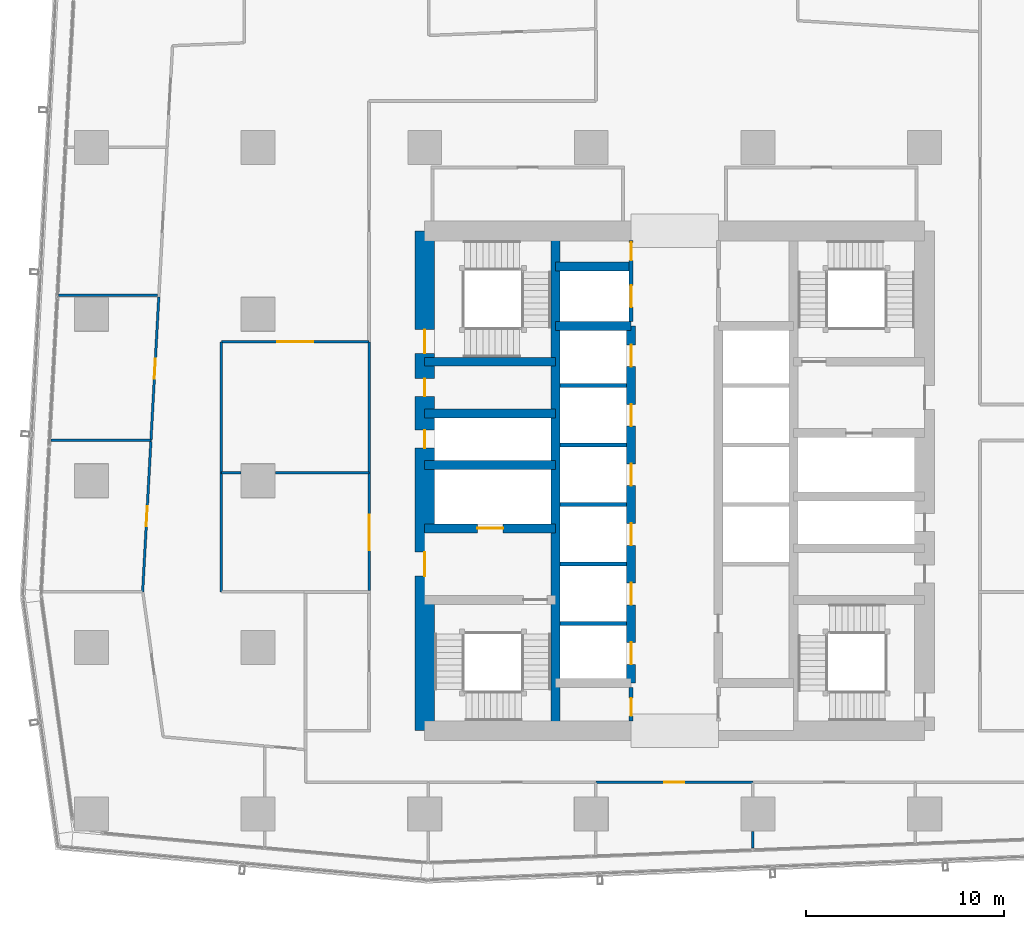
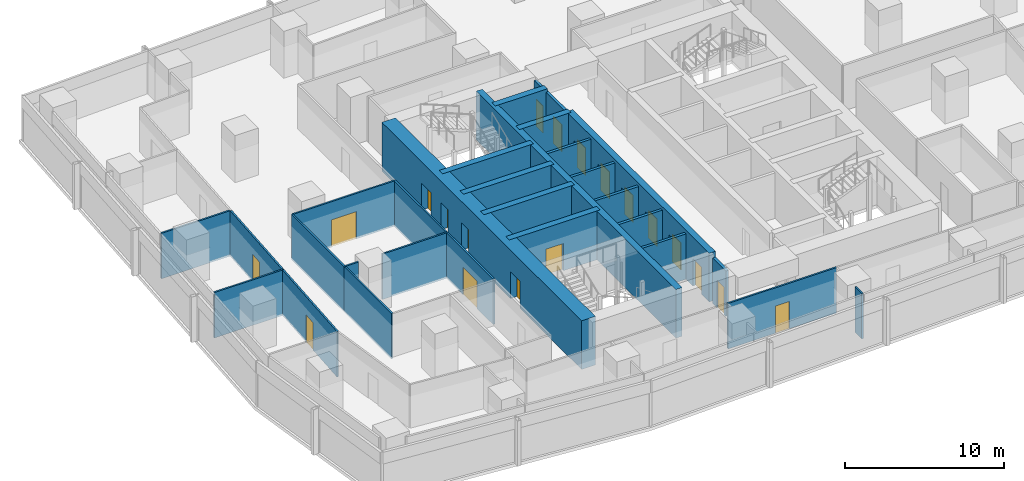
# One storey, part 29 of 40: 29 walls, 19 doors, 19 openings.
"""IFC4 building model written with IfcOpenShell, lengths in metres."""

import ifcopenshell
import ifcopenshell.guid

model = None  # the IFC model being written
_history = None  # IfcOwnerHistory: only IFC2X3 demands one
_inside = {}  # id of a spatial element -> (the spatial element, [elements in it])
_under = {}  # id of a project, library or spatial element -> (it, [spatial elements below it])
_declared = {}  # id of a project -> (the project, [libraries it declares])
_typed = {}  # id of a type object -> (the type object, [elements of that type])
_made_of = {}  # id of a material, layer set ... -> (it, [elements and type objects made of it])


def new_model(schema):
    """Start an empty IFC model of exactly this schema.

    Asked for "IFC4X3", IfcOpenShell would pick the latest addendum, in which some entities
    have other attributes; the version numbers below select the first issue.
    IFC2X3 requires an IfcOwnerHistory on every rooted entity: one is made here for all.
    """
    global model, _history
    if schema == "IFC4X3":
        model = ifcopenshell.file(schema_version=(4, 3, 0, 0))
    else:
        model = ifcopenshell.file(schema=schema)
    _inside.clear()
    _under.clear()
    _declared.clear()
    _typed.clear()
    _made_of.clear()
    _history = None
    if model.schema == "IFC2X3":
        org = make("IfcOrganization", Name="unknown")
        user = make(
            "IfcPersonAndOrganization",
            ThePerson=make("IfcPerson", FamilyName="unknown"),
            TheOrganization=org,
        )
        app = make(
            "IfcApplication",
            ApplicationDeveloper=org,
            Version="unknown",
            ApplicationFullName="unknown",
            ApplicationIdentifier="unknown",
        )
        _history = make(
            "IfcOwnerHistory",
            OwningUser=user,
            OwningApplication=app,
            ChangeAction="ADDED",
            CreationDate=0,
        )
    return model


def make(cls, **values):
    """One entity of the class cls with the attributes given. An attribute that is None is left unset."""
    return model.create_entity(
        cls, **{name: value for name, value in values.items() if value is not None}
    )


def rooted(cls, **values):
    """An entity with a GlobalId (a new one), such as an element, a storey or a relation."""
    return make(cls, GlobalId=ifcopenshell.guid.new(), OwnerHistory=_history, **values)


def si_unit(unit_type, name, prefix=None):
    """IfcSIUnit, for example si_unit("LENGTHUNIT", "METRE", prefix="MILLI")."""
    return make("IfcSIUnit", UnitType=unit_type, Prefix=prefix, Name=name)


def assignment(units):
    """IfcUnitAssignment: the units of a project."""
    return None if units is None else make("IfcUnitAssignment", Units=units)


def point(xyz):
    """IfcCartesianPoint."""
    return None if xyz is None else make("IfcCartesianPoint", Coordinates=xyz)


def direction(xyz):
    """IfcDirection."""
    return None if xyz is None else make("IfcDirection", DirectionRatios=xyz)


def frame(location, z_axis=None, x_axis=None):
    """IfcAxis2Placement3D, a coordinate frame: its origin and axes. An axis left out is left unset."""
    return make(
        "IfcAxis2Placement3D",
        Location=point(location),
        Axis=direction(z_axis),
        RefDirection=direction(x_axis),
    )


def frame_2d(location, x_axis=None):
    """IfcAxis2Placement2D, a coordinate frame in the plane: its origin and x axis."""
    return make(
        "IfcAxis2Placement2D", Location=point(location), RefDirection=direction(x_axis)
    )


def origin():
    """The frame at (0, 0, 0) with its axes left unset."""
    return frame((0.0, 0.0, 0.0))


def place(relative_to, where):
    """IfcLocalPlacement: puts the frame where relative to a parent placement (None: the world)."""
    return make(
        "IfcLocalPlacement", PlacementRelTo=relative_to, RelativePlacement=where
    )


def context(
    kind, dimensions, precision=None, world=None, true_north=None, identifier=None
):
    """IfcGeometricRepresentationContext, for example the 3D "Model" context."""
    return make(
        "IfcGeometricRepresentationContext",
        ContextIdentifier=identifier,
        ContextType=kind,
        CoordinateSpaceDimension=dimensions,
        Precision=precision,
        WorldCoordinateSystem=world,
        TrueNorth=true_north,
    )


def subcontext(parent, identifier, kind, view, scale=None):
    """IfcGeometricRepresentationSubContext, for example "Body" below "Model"."""
    return make(
        "IfcGeometricRepresentationSubContext",
        ContextIdentifier=identifier,
        ContextType=kind,
        ParentContext=parent,
        TargetScale=scale,
        TargetView=view,
    )


def project(units=None, contexts=None):
    """IfcProject with its units and contexts."""
    return rooted(
        "IfcProject",
        Name="project",
        RepresentationContexts=contexts,
        UnitsInContext=assignment(units),
    )


def spatial(cls, under=None, at=None, **own):
    """A site, building, storey or space (cls), placed at a placement, below another one or the project."""
    s = rooted(cls, ObjectPlacement=at, **own)
    if under is not None:
        _under.setdefault(under.id(), (under, []))[1].append(s)
    return s


def profile(cls, at=None, kind="AREA", **sizes):
    """A parametric profile (cls). Its sizes go by their IFC names, for example OverallWidth=200.0."""
    return make(cls, ProfileType=kind, Position=at, **sizes)


def rectangle(**sizes):
    """IfcRectangleProfileDef."""
    return profile("IfcRectangleProfileDef", **sizes)


def extrude(swept, where, along, depth):
    """IfcExtrudedAreaSolid: the profile swept, set in the frame where, extruded along a direction by depth."""
    return make(
        "IfcExtrudedAreaSolid",
        SweptArea=swept,
        Position=where,
        ExtrudedDirection=direction(along),
        Depth=depth,
    )


def shape(context_of_items, identifier, shape_type, items):
    """IfcShapeRepresentation: the items that make up one representation, for example the "Body"."""
    return make(
        "IfcShapeRepresentation",
        ContextOfItems=context_of_items,
        RepresentationIdentifier=identifier,
        RepresentationType=shape_type,
        Items=items,
    )


def material(Name=None, Category=None):
    """IfcMaterial."""
    return make("IfcMaterial", Name=Name, Category=Category)


def layer(
    of_material, thickness, ventilated=None, Name=None, Category=None, Priority=None
):
    """IfcMaterialLayer: one layer of a wall or slab, of a material (None: an air gap)."""
    return make(
        "IfcMaterialLayer",
        Material=of_material,
        LayerThickness=thickness,
        IsVentilated=ventilated,
        Name=Name,
        Category=Category,
        Priority=Priority,
    )


def layer_set(layers, Name=None):
    """IfcMaterialLayerSet."""
    return make("IfcMaterialLayerSet", MaterialLayers=layers, LayerSetName=Name)


def made_of(thing, what):
    """Note that an element or type object is made of a material, layer set ...; save() writes the relation."""
    if what is not None:
        _made_of.setdefault(what.id(), (what, []))[1].append(thing)
    return thing


def type_object(cls, material=None, **own):
    """A type object (cls), such as IfcWallType, which elements share."""
    return made_of(rooted(cls, **own), material)


def element(
    cls,
    number,
    at=None,
    inside=None,
    cuts=None,
    type_object=None,
    material=None,
    context=None,
    identifier="Body",
    shape_type=None,
    held_by="IfcProductDefinitionShape",
    body=None,
    shapes=None,
    **own,
):
    """One element of the class cls, such as IfcWall. Its Tag is "e" and its number.

    at: its placement. inside: the storey or other place that contains it. cuts: it is an
    opening in that element (IfcRelVoidsElement). A single representation is given by context,
    identifier, shape_type and body (its items); several are given by shapes. held_by: the class
    of the entity that holds the representations. save() writes the other relations.
    """
    e = rooted(cls, Tag="e%d" % number, ObjectPlacement=at, **own)
    if body is not None:
        shapes = [shape(context, identifier, shape_type, body)]
    if shapes is not None:
        e.Representation = make(held_by, Representations=shapes)
    if inside is not None:
        _inside.setdefault(inside.id(), (inside, []))[1].append(e)
    if cuts is not None:
        rooted(
            "IfcRelVoidsElement", RelatingBuildingElement=cuts, RelatedOpeningElement=e
        )
    if type_object is not None:
        _typed.setdefault(type_object.id(), (type_object, []))[1].append(e)
    return made_of(e, material)


def fill(opening, filler):
    """IfcRelFillsElement: the door or window that sits in an opening."""
    return rooted(
        "IfcRelFillsElement",
        RelatingOpeningElement=opening,
        RelatedBuildingElement=filler,
    )


def aggregate(whole, parts):
    """IfcRelAggregates: a whole, such as a stair, and the parts it consists of."""
    return rooted("IfcRelAggregates", RelatingObject=whole, RelatedObjects=parts)


def save(model, path):
    """Write the relations noted so far, then the file.

    IfcRelAggregates (storeys below a building ...), IfcRelContainedInSpatialStructure (elements
    in a storey), IfcRelDefinesByType, IfcRelAssociatesMaterial and IfcRelDeclares: one each for
    every whole, place, type object, material and project.
    """
    for whole, parts in _under.values():
        aggregate(whole, parts)
    for where, things in _inside.values():
        rooted(
            "IfcRelContainedInSpatialStructure",
            RelatedElements=things,
            RelatingStructure=where,
        )
    for kind, things in _typed.values():
        rooted("IfcRelDefinesByType", RelatedObjects=things, RelatingType=kind)
    for what, things in _made_of.values():
        rooted("IfcRelAssociatesMaterial", RelatedObjects=things, RelatingMaterial=what)
    for by, libraries in _declared.values():
        rooted("IfcRelDeclares", RelatingContext=by, RelatedDefinitions=libraries)
    model.write(path)


model = new_model("IFC4")

# Units and contexts
model_context = context("Model", 3, precision=1e-05, world=origin(), true_north=direction((0.0, 1.0)))
body_context = subcontext(model_context, "Body", "Model", "MODEL_VIEW")
ifc_project = project(units=[si_unit("LENGTHUNIT", "METRE"), si_unit("AREAUNIT", "SQUARE_METRE"), si_unit("VOLUMEUNIT", "CUBIC_METRE"), si_unit("PLANEANGLEUNIT", "RADIAN"), si_unit("MASSUNIT", "GRAM", prefix="KILO")], contexts=[model_context])

# Site, building, storey
site_placement = place(None, origin())
site = spatial("IfcSite", under=ifc_project, at=site_placement, CompositionType="ELEMENT")
building_placement = place(site_placement, origin())
building = spatial("IfcBuilding", under=site, at=building_placement, Name="Rekha Terrace Tower", CompositionType="ELEMENT")
storey_placement = place(building_placement, frame((0.0, 0.0, 136.550048828125)))
storey = spatial("IfcBuildingStorey", under=building, at=storey_placement, Name="L34", CompositionType="ELEMENT", Elevation=136.550048828125)

# Wall
ifc_material_1 = material(Name="Concrete M70", Category="concrete")
ifc_layer_1 = layer(ifc_material_1, 0.449951171875)
ifc_layer_set_1 = layer_set([ifc_layer_1], Name="Concrete M70")
wall_type_1 = type_object("IfcWallType", Name="CI2 450 core internal shear wall", PredefinedType="SHEAR", material=ifc_layer_set_1)
wall_1_placement = place(storey_placement, frame((31.800048828125, 21.0, 0.0), z_axis=(0.0, 0.0, 1.0), x_axis=(0.0, 1.0, 0.0)))
element("IfcWall", 1, at=wall_1_placement, inside=storey, type_object=wall_type_1, Name="Core wall X318 L34", PredefinedType="SHEAR", context=body_context, shape_type="SweptSolid", body=[
    extrude(rectangle(XDim=25.199951171875, YDim=0.449951171875, at=frame_2d((12.60009765625, 0.0))), origin(), (0.0, 0.0, 1.0), 3.75),
])

# Wall, openings, doors
wall_2_placement = place(storey_placement, frame((35.60009765625, 23.39990234375, 0.0), z_axis=(0.0, 0.0, 1.0), x_axis=(0.0, 1.0, 0.0)))
wall_2 = element("IfcWall", 2, at=wall_2_placement, inside=storey, type_object=wall_type_1, Name="Core wall X356 L34", PredefinedType="SHEAR", context=body_context, shape_type="SweptSolid", body=[
    extrude(rectangle(XDim=18.0, YDim=0.449951171875, at=frame_2d((9.0, 0.0))), origin(), (0.0, 0.0, 1.0), 3.75),
])
opening_1_placement = place(wall_2_placement, frame((0.949951171875, 0.0, 0.0)))
opening_1 = element("IfcOpeningElement", 3, at=opening_1_placement, cuts=wall_2, Name="Opening LD1", PredefinedType="OPENING", context=body_context, shape_type="SweptSolid", body=[
    extrude(rectangle(XDim=1.10009765625, YDim=2.10009765625, at=frame_2d((0.550048828125, 1.050048828125))), frame((0.0, 0.23486328125, 0.0), z_axis=(0.0, -1.0, 0.0), x_axis=(1.0, 0.0, 0.0)), (0.0, 0.0, 1.0), 0.469970703125),
])
opening_2_placement = place(wall_2_placement, frame((3.949951171875, 0.0, 0.0)))
opening_2 = element("IfcOpeningElement", 4, at=opening_2_placement, cuts=wall_2, Name="Opening LD1", PredefinedType="OPENING", context=body_context, shape_type="SweptSolid", body=[
    extrude(rectangle(XDim=1.10009765625, YDim=2.10009765625, at=frame_2d((0.550048828125, 1.050048828125))), frame((0.0, 0.23486328125, 0.0), z_axis=(0.0, -1.0, 0.0), x_axis=(1.0, 0.0, 0.0)), (0.0, 0.0, 1.0), 0.469970703125),
])
opening_3_placement = place(wall_2_placement, frame((6.949951171875, 0.0, 0.0)))
opening_3 = element("IfcOpeningElement", 5, at=opening_3_placement, cuts=wall_2, Name="Opening LD1", PredefinedType="OPENING", context=body_context, shape_type="SweptSolid", body=[
    extrude(rectangle(XDim=1.10009765625, YDim=2.10009765625, at=frame_2d((0.550048828125, 1.050048828125))), frame((0.0, 0.23486328125, 0.0), z_axis=(0.0, -1.0, 0.0), x_axis=(1.0, 0.0, 0.0)), (0.0, 0.0, 1.0), 0.469970703125),
])
opening_4_placement = place(wall_2_placement, frame((9.949951171875, 0.0, 0.0)))
opening_4 = element("IfcOpeningElement", 6, at=opening_4_placement, cuts=wall_2, Name="Opening LD1", PredefinedType="OPENING", context=body_context, shape_type="SweptSolid", body=[
    extrude(rectangle(XDim=1.10009765625, YDim=2.10009765625, at=frame_2d((0.550048828125, 1.050048828125))), frame((0.0, 0.23486328125, 0.0), z_axis=(0.0, -1.0, 0.0), x_axis=(1.0, 0.0, 0.0)), (0.0, 0.0, 1.0), 0.469970703125),
])
opening_5_placement = place(wall_2_placement, frame((12.949951171875, 0.0, 0.0)))
opening_5 = element("IfcOpeningElement", 7, at=opening_5_placement, cuts=wall_2, Name="Opening LD1", PredefinedType="OPENING", context=body_context, shape_type="SweptSolid", body=[
    extrude(rectangle(XDim=1.10009765625, YDim=2.10009765625, at=frame_2d((0.550048828125, 1.050048828125))), frame((0.0, 0.23486328125, 0.0), z_axis=(0.0, -1.0, 0.0), x_axis=(1.0, 0.0, 0.0)), (0.0, 0.0, 1.0), 0.469970703125),
])
opening_6_placement = place(wall_2_placement, frame((15.949951171875, 0.0, 0.0)))
opening_6 = element("IfcOpeningElement", 8, at=opening_6_placement, cuts=wall_2, Name="Opening LD1", PredefinedType="OPENING", context=body_context, shape_type="SweptSolid", body=[
    extrude(rectangle(XDim=1.10009765625, YDim=2.10009765625, at=frame_2d((0.550048828125, 1.050048828125))), frame((0.0, 0.23486328125, 0.0), z_axis=(0.0, -1.0, 0.0), x_axis=(1.0, 0.0, 0.0)), (0.0, 0.0, 1.0), 0.469970703125),
])
ifc_material_2 = material(Name="Stainless steel sliding landing door", Category="steel")
door_type_1 = type_object("IfcDoorType", Name="LD1 1100x2100 lift landing door", OperationType="SLIDING_TO_LEFT", PredefinedType="USERDEFINED", material=ifc_material_2)
door_1_placement = place(opening_1_placement, origin())
door_1 = element("IfcDoor", 9, at=door_1_placement, inside=storey, type_object=door_type_1, Name="Lift B1 landing door L34", ObjectType="LIFT LANDING DOOR", OperationType="SLIDING_TO_LEFT", OverallHeight=2.10009765625, OverallWidth=1.10009765625, PredefinedType="USERDEFINED", context=body_context, shape_type="SweptSolid", body=[
    extrude(rectangle(XDim=1.10009765625, YDim=2.10009765625, at=frame_2d((0.550048828125, 1.050048828125))), frame((0.0, 0.02490234375, 0.0), z_axis=(0.0, -1.0, 0.0), x_axis=(1.0, 0.0, 0.0)), (0.0, 0.0, 1.0), 0.050048828125),
])
fill(opening_1, door_1)
door_2_placement = place(opening_2_placement, origin())
door_2 = element("IfcDoor", 10, at=door_2_placement, inside=storey, type_object=door_type_1, Name="Lift B2 landing door L34", ObjectType="LIFT LANDING DOOR", OperationType="SLIDING_TO_LEFT", OverallHeight=2.10009765625, OverallWidth=1.10009765625, PredefinedType="USERDEFINED", context=body_context, shape_type="SweptSolid", body=[
    extrude(rectangle(XDim=1.10009765625, YDim=2.10009765625, at=frame_2d((0.550048828125, 1.050048828125))), frame((0.0, 0.02490234375, 0.0), z_axis=(0.0, -1.0, 0.0), x_axis=(1.0, 0.0, 0.0)), (0.0, 0.0, 1.0), 0.050048828125),
])
fill(opening_2, door_2)
door_3_placement = place(opening_3_placement, origin())
door_3 = element("IfcDoor", 11, at=door_3_placement, inside=storey, type_object=door_type_1, Name="Lift B3 landing door L34", ObjectType="LIFT LANDING DOOR", OperationType="SLIDING_TO_LEFT", OverallHeight=2.10009765625, OverallWidth=1.10009765625, PredefinedType="USERDEFINED", context=body_context, shape_type="SweptSolid", body=[
    extrude(rectangle(XDim=1.10009765625, YDim=2.10009765625, at=frame_2d((0.550048828125, 1.050048828125))), frame((0.0, 0.02490234375, 0.0), z_axis=(0.0, -1.0, 0.0), x_axis=(1.0, 0.0, 0.0)), (0.0, 0.0, 1.0), 0.050048828125),
])
fill(opening_3, door_3)
door_4_placement = place(opening_4_placement, origin())
door_4 = element("IfcDoor", 12, at=door_4_placement, inside=storey, type_object=door_type_1, Name="Lift B4 landing door L34", ObjectType="LIFT LANDING DOOR", OperationType="SLIDING_TO_LEFT", OverallHeight=2.10009765625, OverallWidth=1.10009765625, PredefinedType="USERDEFINED", context=body_context, shape_type="SweptSolid", body=[
    extrude(rectangle(XDim=1.10009765625, YDim=2.10009765625, at=frame_2d((0.550048828125, 1.050048828125))), frame((0.0, 0.02490234375, 0.0), z_axis=(0.0, -1.0, 0.0), x_axis=(1.0, 0.0, 0.0)), (0.0, 0.0, 1.0), 0.050048828125),
])
fill(opening_4, door_4)
door_5_placement = place(opening_5_placement, origin())
door_5 = element("IfcDoor", 13, at=door_5_placement, inside=storey, type_object=door_type_1, Name="Lift B5 landing door L34", ObjectType="LIFT LANDING DOOR", OperationType="SLIDING_TO_LEFT", OverallHeight=2.10009765625, OverallWidth=1.10009765625, PredefinedType="USERDEFINED", context=body_context, shape_type="SweptSolid", body=[
    extrude(rectangle(XDim=1.10009765625, YDim=2.10009765625, at=frame_2d((0.550048828125, 1.050048828125))), frame((0.0, 0.02490234375, 0.0), z_axis=(0.0, -1.0, 0.0), x_axis=(1.0, 0.0, 0.0)), (0.0, 0.0, 1.0), 0.050048828125),
])
fill(opening_5, door_5)
door_6_placement = place(opening_6_placement, origin())
door_6 = element("IfcDoor", 14, at=door_6_placement, inside=storey, type_object=door_type_1, Name="Lift B6 landing door L34", ObjectType="LIFT LANDING DOOR", OperationType="SLIDING_TO_LEFT", OverallHeight=2.10009765625, OverallWidth=1.10009765625, PredefinedType="USERDEFINED", context=body_context, shape_type="SweptSolid", body=[
    extrude(rectangle(XDim=1.10009765625, YDim=2.10009765625, at=frame_2d((0.550048828125, 1.050048828125))), frame((0.0, 0.02490234375, 0.0), z_axis=(0.0, -1.0, 0.0), x_axis=(1.0, 0.0, 0.0)), (0.0, 0.0, 1.0), 0.050048828125),
])
fill(opening_6, door_6)

# Walls
for number, where, z_axis, x_axis, name in (
    (15, (31.800048828125, 41.39990234375, 0.0), (0.0, 0.0, 1.0), (1.0, 0.0, 0.0), "Core wall Y414W L34"),
    (16, (31.800048828125, 44.39990234375, 0.0), (0.0, 0.0, 1.0), (1.0, 0.0, 0.0), "Core wall Y444W L34"),
):
    element("IfcWall", number, at=place(storey_placement, frame(where, z_axis=z_axis, x_axis=x_axis)), inside=storey, type_object=wall_type_1, Name=name, PredefinedType="SHEAR", context=body_context, shape_type="SweptSolid", body=[
        extrude(rectangle(XDim=3.800048828125, YDim=0.449951171875, at=frame_2d((1.89990234375, 0.0))), origin(), (0.0, 0.0, 1.0), 3.75),
    ])

# Wall, opening, door
wall_3_placement = place(storey_placement, frame((25.199951171875, 31.199951171875, 0.0), z_axis=(0.0, 0.0, 1.0), x_axis=(1.0, 0.0, 0.0)))
wall_3 = element("IfcWall", 17, at=wall_3_placement, inside=storey, type_object=wall_type_1, Name="Core wall Y312W L34", PredefinedType="SHEAR", context=body_context, shape_type="SweptSolid", body=[
    extrude(rectangle(XDim=6.60009765625, YDim=0.449951171875, at=frame_2d((3.300048828125, 0.0))), origin(), (0.0, 0.0, 1.0), 3.75),
])
opening_7_placement = place(wall_3_placement, frame((2.64990234375, 0.0, 0.0)))
opening_7 = element("IfcOpeningElement", 18, at=opening_7_placement, cuts=wall_3, Name="Opening LD2", PredefinedType="OPENING", context=body_context, shape_type="SweptSolid", body=[
    extrude(rectangle(XDim=1.300048828125, YDim=2.10009765625, at=frame_2d((0.64990234375, 1.050048828125))), frame((0.0, 0.23486328125, 0.0), z_axis=(0.0, -1.0, 0.0), x_axis=(1.0, 0.0, 0.0)), (0.0, 0.0, 1.0), 0.469970703125),
])
door_type_2 = type_object("IfcDoorType", Name="LD2 1300x2100 fire lift landing door", OperationType="SLIDING_TO_LEFT", PredefinedType="USERDEFINED", material=ifc_material_2)
door_7_placement = place(opening_7_placement, origin())
door_7 = element("IfcDoor", 19, at=door_7_placement, inside=storey, type_object=door_type_2, Name="Lift FL1 landing door L34", ObjectType="LIFT LANDING DOOR", OperationType="SLIDING_TO_LEFT", OverallHeight=2.10009765625, OverallWidth=1.300048828125, PredefinedType="USERDEFINED", context=body_context, shape_type="SweptSolid", body=[
    extrude(rectangle(XDim=1.300048828125, YDim=2.10009765625, at=frame_2d((0.64990234375, 1.050048828125))), frame((0.0, 0.02490234375, 0.0), z_axis=(0.0, -1.0, 0.0), x_axis=(1.0, 0.0, 0.0)), (0.0, 0.0, 1.0), 0.050048828125),
])
fill(opening_7, door_7)

# Walls
for number, where, z_axis, x_axis, name in (
    (20, (25.199951171875, 34.39990234375, 0.0), (0.0, 0.0, 1.0), (1.0, 0.0, 0.0), "Core wall Y344W L34"),
    (21, (25.199951171875, 37.0, 0.0), (0.0, 0.0, 1.0), (1.0, 0.0, 0.0), "Core wall Y370W L34"),
    (22, (25.199951171875, 39.60009765625, 0.0), (0.0, 0.0, 1.0), (1.0, 0.0, 0.0), "Core wall Y396W L34"),
):
    element("IfcWall", number, at=place(storey_placement, frame(where, z_axis=z_axis, x_axis=x_axis)), inside=storey, type_object=wall_type_1, Name=name, PredefinedType="SHEAR", context=body_context, shape_type="SweptSolid", body=[
        extrude(rectangle(XDim=6.60009765625, YDim=0.449951171875, at=frame_2d((3.300048828125, 0.0))), origin(), (0.0, 0.0, 1.0), 3.75),
    ])

# Wall, openings, doors
ifc_layer_2 = layer(ifc_material_1, 1.0)
ifc_layer_set_2 = layer_set([ifc_layer_2], Name="Concrete M70")
wall_type_2 = type_object("IfcWallType", Name="SW2 1000 core outer shear wall", PredefinedType="SHEAR", material=ifc_layer_set_2)
wall_4_placement = place(storey_placement, frame((25.199951171875, 21.0, 0.0), z_axis=(0.0, 0.0, 1.0), x_axis=(0.0, 1.0, 0.0)))
wall_4 = element("IfcWall", 23, at=wall_4_placement, inside=storey, type_object=wall_type_2, Name="Core wall W L34", PredefinedType="SHEAR", context=body_context, shape_type="SweptSolid", body=[
    extrude(rectangle(XDim=25.199951171875, YDim=1.0, at=frame_2d((12.60009765625, 0.0))), origin(), (0.0, 0.0, 1.0), 3.75),
])
opening_8_placement = place(wall_4_placement, frame((7.800048828125, 0.0, 0.0)))
opening_8 = element("IfcOpeningElement", 24, at=opening_8_placement, cuts=wall_4, Name="Opening D2", PredefinedType="OPENING", context=body_context, shape_type="SweptSolid", body=[
    extrude(rectangle(XDim=1.199951171875, YDim=2.10009765625, at=frame_2d((0.60009765625, 1.050048828125))), frame((0.0, 0.510009765625, 0.0), z_axis=(0.0, -1.0, 0.0), x_axis=(1.0, 0.0, 0.0)), (0.0, 0.0, 1.0), 1.02001953125),
])
opening_9_placement = place(wall_4_placement, frame((14.25, 0.0, 0.0)))
opening_9 = element("IfcOpeningElement", 25, at=opening_9_placement, cuts=wall_4, Name="Opening D5", PredefinedType="OPENING", context=body_context, shape_type="SweptSolid", body=[
    extrude(rectangle(XDim=0.89990234375, YDim=2.10009765625, at=frame_2d((0.449951171875, 1.050048828125))), frame((0.0, 0.510009765625, 0.0), z_axis=(0.0, -1.0, 0.0), x_axis=(1.0, 0.0, 0.0)), (0.0, 0.0, 1.0), 1.02001953125),
])
opening_10_placement = place(wall_4_placement, frame((16.85009765625, 0.0, 0.0)))
opening_10 = element("IfcOpeningElement", 26, at=opening_10_placement, cuts=wall_4, Name="Opening D5", PredefinedType="OPENING", context=body_context, shape_type="SweptSolid", body=[
    extrude(rectangle(XDim=0.89990234375, YDim=2.10009765625, at=frame_2d((0.449951171875, 1.050048828125))), frame((0.0, 0.510009765625, 0.0), z_axis=(0.0, -1.0, 0.0), x_axis=(1.0, 0.0, 0.0)), (0.0, 0.0, 1.0), 1.02001953125),
])
opening_11_placement = place(wall_4_placement, frame((19.02490234375, 0.0, 0.0)))
opening_11 = element("IfcOpeningElement", 27, at=opening_11_placement, cuts=wall_4, Name="Opening D1", PredefinedType="OPENING", context=body_context, shape_type="SweptSolid", body=[
    extrude(rectangle(XDim=1.199951171875, YDim=2.10009765625, at=frame_2d((0.60009765625, 1.050048828125))), frame((0.0, 0.510009765625, 0.0), z_axis=(0.0, -1.0, 0.0), x_axis=(1.0, 0.0, 0.0)), (0.0, 0.0, 1.0), 1.02001953125),
])
ifc_material_3 = material(Name="Steel fire door", Category="steel")
door_type_3 = type_object("IfcDoorType", Name="D1 1200x2100 stair fire door", OperationType="SINGLE_SWING_RIGHT", PredefinedType="DOOR", material=ifc_material_3)
door_8_placement = place(opening_11_placement, origin())
door_8 = element("IfcDoor", 28, at=door_8_placement, inside=storey, type_object=door_type_3, Name="Stair ST4 door L34", OperationType="SINGLE_SWING_RIGHT", OverallHeight=2.10009765625, OverallWidth=1.199951171875, PredefinedType="DOOR", context=body_context, shape_type="SweptSolid", body=[
    extrude(rectangle(XDim=1.199951171875, YDim=2.10009765625, at=frame_2d((0.60009765625, 1.050048828125))), frame((0.0, 0.02490234375, 0.0), z_axis=(0.0, -1.0, 0.0), x_axis=(1.0, 0.0, 0.0)), (0.0, 0.0, 1.0), 0.050048828125),
])
fill(opening_11, door_8)
door_type_4 = type_object("IfcDoorType", Name="D2 1200x2100 firefighting lobby door", OperationType="SINGLE_SWING_LEFT", PredefinedType="DOOR", material=ifc_material_3)
door_9_placement = place(opening_8_placement, origin())
door_9 = element("IfcDoor", 29, at=door_9_placement, inside=storey, type_object=door_type_4, Name="Door flb1 L34", OperationType="SINGLE_SWING_LEFT", OverallHeight=2.10009765625, OverallWidth=1.199951171875, PredefinedType="DOOR", context=body_context, shape_type="SweptSolid", body=[
    extrude(rectangle(XDim=1.199951171875, YDim=2.10009765625, at=frame_2d((0.60009765625, 1.050048828125))), frame((0.0, 0.02490234375, 0.0), z_axis=(0.0, -1.0, 0.0), x_axis=(1.0, 0.0, 0.0)), (0.0, 0.0, 1.0), 0.050048828125),
])
fill(opening_8, door_9)
door_type_5 = type_object("IfcDoorType", Name="D5 900x2100 riser access door", OperationType="SINGLE_SWING_LEFT", PredefinedType="DOOR", material=ifc_material_3)
door_10_placement = place(opening_9_placement, origin())
door_10 = element("IfcDoor", 30, at=door_10_placement, inside=storey, type_object=door_type_5, Name="Door rs1 L34", OperationType="SINGLE_SWING_LEFT", OverallHeight=2.10009765625, OverallWidth=0.89990234375, PredefinedType="DOOR", context=body_context, shape_type="SweptSolid", body=[
    extrude(rectangle(XDim=0.89990234375, YDim=2.10009765625, at=frame_2d((0.449951171875, 1.050048828125))), frame((0.0, 0.02490234375, 0.0), z_axis=(0.0, -1.0, 0.0), x_axis=(1.0, 0.0, 0.0)), (0.0, 0.0, 1.0), 0.050048828125),
])
fill(opening_9, door_10)
door_11_placement = place(opening_10_placement, origin())
door_11 = element("IfcDoor", 31, at=door_11_placement, inside=storey, type_object=door_type_5, Name="Door elw L34", OperationType="SINGLE_SWING_LEFT", OverallHeight=2.10009765625, OverallWidth=0.89990234375, PredefinedType="DOOR", context=body_context, shape_type="SweptSolid", body=[
    extrude(rectangle(XDim=0.89990234375, YDim=2.10009765625, at=frame_2d((0.449951171875, 1.050048828125))), frame((0.0, 0.02490234375, 0.0), z_axis=(0.0, -1.0, 0.0), x_axis=(1.0, 0.0, 0.0)), (0.0, 0.0, 1.0), 0.050048828125),
])
fill(opening_10, door_11)

# Wall
ifc_material_4 = material(Name="Two layers of fire-rated gypsum board each side on steel studs, acoustic quilt, 1 hour", Category="steel")
ifc_layer_3 = layer(ifc_material_4, 0.125)
ifc_layer_set_3 = layer_set([ifc_layer_3], Name="Two layers of fire-rated gypsum board each side on steel studs, acoustic quilt, 1 hour")
wall_type_3 = type_object("IfcWallType", Name="WP3 125 office partition", PredefinedType="PARTITIONING", material=ifc_layer_set_3)
wall_5_placement = place(storey_placement, frame((41.740966796875, 15.080078125, 0.0), z_axis=(0.0, 0.0, 1.0), x_axis=(0.0, 1.0, 0.0)))
element("IfcWall", 32, at=wall_5_placement, inside=storey, type_object=wall_type_3, Name="Partition L34-02", PredefinedType="PARTITIONING", context=body_context, shape_type="SweptSolid", body=[
    extrude(rectangle(XDim=0.849853515625, YDim=0.125, at=frame_2d((0.4248046875, 0.0))), origin(), (0.0, 0.0, 1.0), 3.5),
])

# Wall, opening, door
wall_6_placement = place(storey_placement, frame((33.825927734375, 18.39990234375, 0.0), z_axis=(0.0, 0.0, 1.0), x_axis=(1.0, 0.0, 0.0)))
wall_6 = element("IfcWall", 33, at=wall_6_placement, inside=storey, type_object=wall_type_3, Name="Partition L34-09", PredefinedType="PARTITIONING", context=body_context, shape_type="SweptSolid", body=[
    extrude(rectangle(XDim=7.9140625, YDim=0.125, at=frame_2d((3.95703125, 0.0))), origin(), (0.0, 0.0, 1.0), 3.5),
])
opening_12_placement = place(wall_6_placement, frame((3.45703125, 0.0, 0.0)))
opening_12 = element("IfcOpeningElement", 34, at=opening_12_placement, cuts=wall_6, Name="Opening D9", PredefinedType="OPENING", context=body_context, shape_type="SweptSolid", body=[
    extrude(rectangle(XDim=1.0, YDim=2.10009765625, at=frame_2d((0.5, 1.050048828125))), frame((0.0, 0.072509765625, 0.0), z_axis=(0.0, -1.0, 0.0), x_axis=(1.0, 0.0, 0.0)), (0.0, 0.0, 1.0), 0.14501953125),
])
ifc_material_5 = material(Name="Timber fire door", Category="wood")
door_type_6 = type_object("IfcDoorType", Name="D9 1000x2100 office door", OperationType="SINGLE_SWING_LEFT", PredefinedType="DOOR", material=ifc_material_5)
door_12_placement = place(opening_12_placement, origin())
door_12 = element("IfcDoor", 35, at=door_12_placement, inside=storey, type_object=door_type_6, Name="Door meeting room L34", OperationType="SINGLE_SWING_LEFT", OverallHeight=2.10009765625, OverallWidth=1.0, PredefinedType="DOOR", context=body_context, shape_type="SweptSolid", body=[
    extrude(rectangle(XDim=1.0, YDim=2.10009765625, at=frame_2d((0.5, 1.050048828125))), frame((0.0, 0.02490234375, 0.0), z_axis=(0.0, -1.0, 0.0), x_axis=(1.0, 0.0, 0.0)), (0.0, 0.0, 1.0), 0.050048828125),
])
fill(opening_12, door_12)

# Wall
wall_7_placement = place(storey_placement, frame((11.738037109375, 42.943115234375, 0.0), z_axis=(0.0, 0.0, 1.0), x_axis=(-1.0, 0.0, 0.0)))
element("IfcWall", 36, at=wall_7_placement, inside=storey, type_object=wall_type_3, Name="Partition L34-13", PredefinedType="PARTITIONING", context=body_context, shape_type="SweptSolid", body=[
    extrude(rectangle(XDim=4.994140625, YDim=0.125, at=frame_2d((2.4970703125, 0.0))), origin(), (0.0, 0.0, 1.0), 3.5),
])

# Wall, opening, door
wall_8_placement = place(storey_placement, frame((11.797119140625, 42.8720703125, 0.0), z_axis=(0.0, 0.0, 1.0), x_axis=(-0.0546696622, -0.998504495751, 0.0)))
wall_8 = element("IfcWall", 37, at=wall_8_placement, inside=storey, type_object=wall_type_3, Name="Partition L34-14", PredefinedType="PARTITIONING", context=body_context, shape_type="SweptSolid", body=[
    extrude(rectangle(XDim=7.247802734375, YDim=0.125, at=frame_2d((3.6240234375, 0.0))), origin(), (0.0, 0.0, 1.0), 3.5),
])
opening_13_placement = place(wall_8_placement, frame((3.1240234375, 0.0, 0.0)))
opening_13 = element("IfcOpeningElement", 38, at=opening_13_placement, cuts=wall_8, Name="Opening D9", PredefinedType="OPENING", context=body_context, shape_type="SweptSolid", body=[
    extrude(rectangle(XDim=1.0, YDim=2.10009765625, at=frame_2d((0.5, 1.050048828125))), frame((0.0, 0.072509765625, 0.0), z_axis=(0.0, -1.0, 0.0), x_axis=(1.0, 0.0, 0.0)), (0.0, 0.0, 1.0), 0.14501953125),
])
door_13_placement = place(opening_13_placement, origin())
door_13 = element("IfcDoor", 39, at=door_13_placement, inside=storey, type_object=door_type_6, Name="Door print room L34", OperationType="SINGLE_SWING_LEFT", OverallHeight=2.10009765625, OverallWidth=1.0, PredefinedType="DOOR", context=body_context, shape_type="SweptSolid", body=[
    extrude(rectangle(XDim=1.0, YDim=2.10009765625, at=frame_2d((0.5, 1.050048828125))), frame((0.0, 0.02490234375, 0.0), z_axis=(0.0, -1.0, 0.0), x_axis=(1.0, 0.0, 0.0)), (0.0, 0.0, 1.0), 0.050048828125),
])
fill(opening_13, door_13)

# Wall
wall_9_placement = place(storey_placement, frame((11.40087890625, 35.635009765625, 0.0), z_axis=(0.0, 0.0, 1.0), x_axis=(-1.0, 0.0, 0.0)))
element("IfcWall", 40, at=wall_9_placement, inside=storey, type_object=wall_type_3, Name="Partition L34-14", PredefinedType="PARTITIONING", context=body_context, shape_type="SweptSolid", body=[
    extrude(rectangle(XDim=5.02783203125, YDim=0.125, at=frame_2d((2.513916015625, 0.0))), origin(), (0.0, 0.0, 1.0), 3.5),
])

# Wall, opening, door
wall_10_placement = place(storey_placement, frame((11.39697265625, 35.572021484375, 0.0), z_axis=(0.0, 0.0, 1.0), x_axis=(-0.054730034511, -0.998501188443, 0.0)))
wall_10 = element("IfcWall", 41, at=wall_10_placement, inside=storey, type_object=wall_type_3, Name="Partition L34-15", PredefinedType="PARTITIONING", context=body_context, shape_type="SweptSolid", body=[
    extrude(rectangle(XDim=7.58349609375, YDim=0.125, at=frame_2d((3.791748046875, 0.0))), origin(), (0.0, 0.0, 1.0), 3.5),
])
opening_14_placement = place(wall_10_placement, frame((3.260986328125, 0.0, 0.0)))
opening_14 = element("IfcOpeningElement", 42, at=opening_14_placement, cuts=wall_10, Name="Opening D9", PredefinedType="OPENING", context=body_context, shape_type="SweptSolid", body=[
    extrude(rectangle(XDim=1.0, YDim=2.10009765625, at=frame_2d((0.5, 1.050048828125))), frame((0.0, 0.072509765625, 0.0), z_axis=(0.0, -1.0, 0.0), x_axis=(1.0, 0.0, 0.0)), (0.0, 0.0, 1.0), 0.14501953125),
])
door_14_placement = place(opening_14_placement, origin())
door_14 = element("IfcDoor", 43, at=door_14_placement, inside=storey, type_object=door_type_6, Name="Door meeting room L34", OperationType="SINGLE_SWING_LEFT", OverallHeight=2.10009765625, OverallWidth=1.0, PredefinedType="DOOR", context=body_context, shape_type="SweptSolid", body=[
    extrude(rectangle(XDim=1.0, YDim=2.10009765625, at=frame_2d((0.5, 1.050048828125))), frame((0.0, 0.02490234375, 0.0), z_axis=(0.0, -1.0, 0.0), x_axis=(1.0, 0.0, 0.0)), (0.0, 0.0, 1.0), 0.050048828125),
])
fill(opening_14, door_14)

# Walls
wall_11_placement = place(storey_placement, frame((14.949951171875, 28.0, 0.0), z_axis=(0.0, 0.0, 1.0), x_axis=(0.0, 1.0, 0.0)))
element("IfcWall", 44, at=wall_11_placement, inside=storey, type_object=wall_type_3, Name="Partition L34-18", PredefinedType="PARTITIONING", context=body_context, shape_type="SweptSolid", body=[
    extrude(rectangle(XDim=6.0, YDim=0.125, at=frame_2d((3.0, 0.0))), origin(), (0.0, 0.0, 1.0), 3.5),
])
wall_12_placement = place(storey_placement, frame((14.949951171875, 34.0, 0.0), z_axis=(0.0, 0.0, 1.0), x_axis=(1.0, 0.0, 0.0)))
element("IfcWall", 45, at=wall_12_placement, inside=storey, type_object=wall_type_3, Name="Partition L34-18", PredefinedType="PARTITIONING", context=body_context, shape_type="SweptSolid", body=[
    extrude(rectangle(XDim=0.97998046875, YDim=0.125, at=frame_2d((0.489990234375, 0.0))), origin(), (0.0, 0.0, 1.0), 3.5),
])
wall_13_placement = place(storey_placement, frame((17.669921875, 34.0, 0.0), z_axis=(0.0, 0.0, 1.0), x_axis=(1.0, 0.0, 0.0)))
element("IfcWall", 46, at=wall_13_placement, inside=storey, type_object=wall_type_3, Name="Partition L34-18", PredefinedType="PARTITIONING", context=body_context, shape_type="SweptSolid", body=[
    extrude(rectangle(XDim=4.72998046875, YDim=0.125, at=frame_2d((2.364990234375, 0.0))), origin(), (0.0, 0.0, 1.0), 3.5),
])

# Wall, opening, door
wall_14_placement = place(storey_placement, frame((22.39990234375, 34.0, 0.0), z_axis=(0.0, 0.0, 1.0), x_axis=(0.0, -1.0, 0.0)))
wall_14 = element("IfcWall", 47, at=wall_14_placement, inside=storey, type_object=wall_type_3, Name="Partition L34-18", PredefinedType="PARTITIONING", context=body_context, shape_type="SweptSolid", body=[
    extrude(rectangle(XDim=5.925048828125, YDim=0.125, at=frame_2d((2.96240234375, 0.0))), origin(), (0.0, 0.0, 1.0), 3.5),
])
opening_15_placement = place(wall_14_placement, frame((2.10009765625, 0.0, 0.0)))
opening_15 = element("IfcOpeningElement", 48, at=opening_15_placement, cuts=wall_14, Name="Opening D8", PredefinedType="OPENING", context=body_context, shape_type="SweptSolid", body=[
    extrude(rectangle(XDim=1.800048828125, YDim=2.10009765625, at=frame_2d((0.89990234375, 1.050048828125))), frame((0.0, 0.072509765625, 0.0), z_axis=(0.0, -1.0, 0.0), x_axis=(1.0, 0.0, 0.0)), (0.0, 0.0, 1.0), 0.14501953125),
])
door_type_7 = type_object("IfcDoorType", Name="D8 1800x2100 double leaf door", OperationType="DOUBLE_DOOR_SINGLE_SWING", PredefinedType="DOOR", material=ifc_material_5)
door_15_placement = place(opening_15_placement, origin())
door_15 = element("IfcDoor", 49, at=door_15_placement, inside=storey, type_object=door_type_7, Name="Door reception L34", OperationType="DOUBLE_DOOR_SINGLE_SWING", OverallHeight=2.10009765625, OverallWidth=1.800048828125, PredefinedType="DOOR", context=body_context, shape_type="SweptSolid", body=[
    extrude(rectangle(XDim=1.800048828125, YDim=2.10009765625, at=frame_2d((0.89990234375, 1.050048828125))), frame((0.0, 0.02490234375, 0.0), z_axis=(0.0, -1.0, 0.0), x_axis=(1.0, 0.0, 0.0)), (0.0, 0.0, 1.0), 0.050048828125),
])
fill(opening_15, door_15)

# Wall
wall_15_placement = place(storey_placement, frame((14.949951171875, 34.0, 0.0), z_axis=(0.0, 0.0, 1.0), x_axis=(0.0, 1.0, 0.0)))
element("IfcWall", 50, at=wall_15_placement, inside=storey, type_object=wall_type_3, Name="Partition L34-19", PredefinedType="PARTITIONING", context=body_context, shape_type="SweptSolid", body=[
    extrude(rectangle(XDim=6.60009765625, YDim=0.125, at=frame_2d((3.300048828125, 0.0))), origin(), (0.0, 0.0, 1.0), 3.5),
])

# Wall, opening, door
wall_16_placement = place(storey_placement, frame((14.949951171875, 40.60009765625, 0.0), z_axis=(0.0, 0.0, 1.0), x_axis=(1.0, 0.0, 0.0)))
wall_16 = element("IfcWall", 51, at=wall_16_placement, inside=storey, type_object=wall_type_3, Name="Partition L34-19", PredefinedType="PARTITIONING", context=body_context, shape_type="SweptSolid", body=[
    extrude(rectangle(XDim=7.449951171875, YDim=0.125, at=frame_2d((3.72509765625, 0.0))), origin(), (0.0, 0.0, 1.0), 3.5),
])
opening_16_placement = place(wall_16_placement, frame((2.824951171875, 0.0, 0.0)))
opening_16 = element("IfcOpeningElement", 52, at=opening_16_placement, cuts=wall_16, Name="Opening D8", PredefinedType="OPENING", context=body_context, shape_type="SweptSolid", body=[
    extrude(rectangle(XDim=1.800048828125, YDim=2.10009765625, at=frame_2d((0.89990234375, 1.050048828125))), frame((0.0, 0.072509765625, 0.0), z_axis=(0.0, -1.0, 0.0), x_axis=(1.0, 0.0, 0.0)), (0.0, 0.0, 1.0), 0.14501953125),
])
door_16_placement = place(opening_16_placement, origin())
door_16 = element("IfcDoor", 53, at=door_16_placement, inside=storey, type_object=door_type_7, Name="Door meeting room L34", OperationType="DOUBLE_DOOR_SINGLE_SWING", OverallHeight=2.10009765625, OverallWidth=1.800048828125, PredefinedType="DOOR", context=body_context, shape_type="SweptSolid", body=[
    extrude(rectangle(XDim=1.800048828125, YDim=2.10009765625, at=frame_2d((0.89990234375, 1.050048828125))), frame((0.0, 0.02490234375, 0.0), z_axis=(0.0, -1.0, 0.0), x_axis=(1.0, 0.0, 0.0)), (0.0, 0.0, 1.0), 0.050048828125),
])
fill(opening_16, door_16)

# Walls
wall_17_placement = place(storey_placement, frame((22.39990234375, 40.60009765625, 0.0), z_axis=(0.0, 0.0, 1.0), x_axis=(0.0, -1.0, 0.0)))
element("IfcWall", 54, at=wall_17_placement, inside=storey, type_object=wall_type_3, Name="Partition L34-19", PredefinedType="PARTITIONING", context=body_context, shape_type="SweptSolid", body=[
    extrude(rectangle(XDim=6.60009765625, YDim=0.125, at=frame_2d((3.300048828125, 0.0))), origin(), (0.0, 0.0, 1.0), 3.5),
])
ifc_material_6 = material(Name="Solid concrete block masonry, 2 hour", Category="masonry")
ifc_layer_4 = layer(ifc_material_6, 0.199951171875)
ifc_layer_set_4 = layer_set([ifc_layer_4], Name="Solid concrete block masonry, 2 hour")
wall_type_4 = type_object("IfcWallType", Name="WS1 200 stair and shaft enclosure", PredefinedType="PARTITIONING", material=ifc_layer_set_4)
for number, where, z_axis, x_axis, name in (
    (55, (32.02490234375, 26.39990234375, 0.0), (0.0, 0.0, 1.0), (1.0, 0.0, 0.0), "Lift shaft divider L34"),
    (56, (32.02490234375, 29.39990234375, 0.0), (0.0, 0.0, 1.0), (1.0, 0.0, 0.0), "Lift shaft divider L34"),
    (57, (32.02490234375, 32.39990234375, 0.0), (0.0, 0.0, 1.0), (1.0, 0.0, 0.0), "Lift shaft divider L34"),
    (58, (32.02490234375, 35.39990234375, 0.0), (0.0, 0.0, 1.0), (1.0, 0.0, 0.0), "Lift shaft divider L34"),
    (59, (32.02490234375, 38.39990234375, 0.0), (0.0, 0.0, 1.0), (1.0, 0.0, 0.0), "Lift shaft divider L34"),
):
    element("IfcWall", number, at=place(storey_placement, frame(where, z_axis=z_axis, x_axis=x_axis)), inside=storey, type_object=wall_type_4, Name=name, PredefinedType="PARTITIONING", context=body_context, shape_type="SweptSolid", body=[
        extrude(rectangle(XDim=3.35009765625, YDim=0.199951171875, at=frame_2d((1.675048828125, 0.0))), origin(), (0.0, 0.0, 1.0), 3.5),
    ])

# Wall, openings, doors
wall_18_placement = place(storey_placement, frame((35.60009765625, 41.625, 0.0), z_axis=(0.0, 0.0, 1.0), x_axis=(0.0, 1.0, 0.0)))
wall_18 = element("IfcWall", 60, at=wall_18_placement, inside=storey, type_object=wall_type_4, Name="Core partition jansv L34", PredefinedType="PARTITIONING", context=body_context, shape_type="SweptSolid", body=[
    extrude(rectangle(XDim=4.074951171875, YDim=0.199951171875, at=frame_2d((2.03759765625, 0.0))), origin(), (0.0, 0.0, 1.0), 3.5),
])
opening_17_placement = place(wall_18_placement, frame((3.087890625, 0.0, 0.0)))
opening_17 = element("IfcOpeningElement", 61, at=opening_17_placement, cuts=wall_18, Name="Opening D5", PredefinedType="OPENING", context=body_context, shape_type="SweptSolid", body=[
    extrude(rectangle(XDim=0.89990234375, YDim=2.10009765625, at=frame_2d((0.449951171875, 1.050048828125))), frame((0.0, 0.10986328125, 0.0), z_axis=(0.0, -1.0, 0.0), x_axis=(1.0, 0.0, 0.0)), (0.0, 0.0, 1.0), 0.219970703125),
])
opening_18_placement = place(wall_18_placement, frame((0.72509765625, 0.0, 0.0)))
opening_18 = element("IfcOpeningElement", 62, at=opening_18_placement, cuts=wall_18, Name="Opening LD1", PredefinedType="OPENING", context=body_context, shape_type="SweptSolid", body=[
    extrude(rectangle(XDim=1.10009765625, YDim=2.10009765625, at=frame_2d((0.550048828125, 1.050048828125))), frame((0.0, 0.10986328125, 0.0), z_axis=(0.0, -1.0, 0.0), x_axis=(1.0, 0.0, 0.0)), (0.0, 0.0, 1.0), 0.219970703125),
])
door_17_placement = place(opening_17_placement, origin())
door_17 = element("IfcDoor", 63, at=door_17_placement, inside=storey, type_object=door_type_5, Name="Door janitor room L34", OperationType="SINGLE_SWING_LEFT", OverallHeight=2.10009765625, OverallWidth=0.89990234375, PredefinedType="DOOR", context=body_context, shape_type="SweptSolid", body=[
    extrude(rectangle(XDim=0.89990234375, YDim=2.10009765625, at=frame_2d((0.449951171875, 1.050048828125))), frame((0.0, 0.02490234375, 0.0), z_axis=(0.0, -1.0, 0.0), x_axis=(1.0, 0.0, 0.0)), (0.0, 0.0, 1.0), 0.050048828125),
])
fill(opening_17, door_17)
door_18_placement = place(opening_18_placement, origin())
door_18 = element("IfcDoor", 64, at=door_18_placement, inside=storey, type_object=door_type_1, Name="Lift SV1 landing door L34", ObjectType="LIFT LANDING DOOR", OperationType="SLIDING_TO_LEFT", OverallHeight=2.10009765625, OverallWidth=1.10009765625, PredefinedType="USERDEFINED", context=body_context, shape_type="SweptSolid", body=[
    extrude(rectangle(XDim=1.10009765625, YDim=2.10009765625, at=frame_2d((0.550048828125, 1.050048828125))), frame((0.0, 0.02490234375, 0.0), z_axis=(0.0, -1.0, 0.0), x_axis=(1.0, 0.0, 0.0)), (0.0, 0.0, 1.0), 0.050048828125),
])
fill(opening_18, door_18)

# Wall, opening, door
wall_19_placement = place(storey_placement, frame((35.60009765625, 21.5, 0.0), z_axis=(0.0, 0.0, 1.0), x_axis=(0.0, 1.0, 0.0)))
wall_19 = element("IfcWall", 65, at=wall_19_placement, inside=storey, type_object=wall_type_4, Name="Core partition west L34", PredefinedType="PARTITIONING", context=body_context, shape_type="SweptSolid", body=[
    extrude(rectangle(XDim=1.675048828125, YDim=0.199951171875, at=frame_2d((0.83740234375, 0.0))), origin(), (0.0, 0.0, 1.0), 3.5),
])
opening_19_placement = place(wall_19_placement, frame((0.25, 0.0, 0.0)))
opening_19 = element("IfcOpeningElement", 66, at=opening_19_placement, cuts=wall_19, Name="Opening D5", PredefinedType="OPENING", context=body_context, shape_type="SweptSolid", body=[
    extrude(rectangle(XDim=0.89990234375, YDim=2.10009765625, at=frame_2d((0.449951171875, 1.050048828125))), frame((0.0, 0.10986328125, 0.0), z_axis=(0.0, -1.0, 0.0), x_axis=(1.0, 0.0, 0.0)), (0.0, 0.0, 1.0), 0.219970703125),
])
door_19_placement = place(opening_19_placement, origin())
door_19 = element("IfcDoor", 67, at=door_19_placement, inside=storey, type_object=door_type_5, Name="Door it comms room L34", OperationType="SINGLE_SWING_LEFT", OverallHeight=2.10009765625, OverallWidth=0.89990234375, PredefinedType="DOOR", context=body_context, shape_type="SweptSolid", body=[
    extrude(rectangle(XDim=0.89990234375, YDim=2.10009765625, at=frame_2d((0.449951171875, 1.050048828125))), frame((0.0, 0.02490234375, 0.0), z_axis=(0.0, -1.0, 0.0), x_axis=(1.0, 0.0, 0.0)), (0.0, 0.0, 1.0), 0.050048828125),
])
fill(opening_19, door_19)

save(model, "model.ifc")
